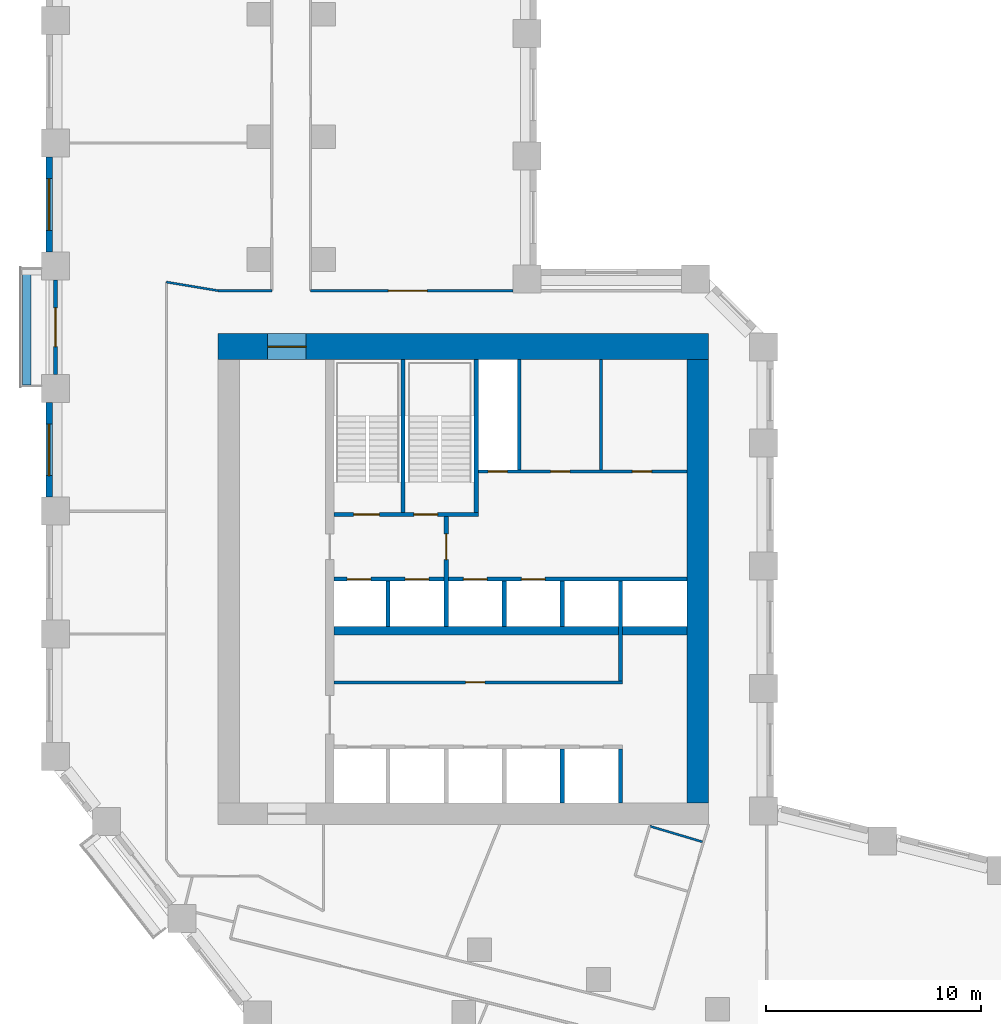
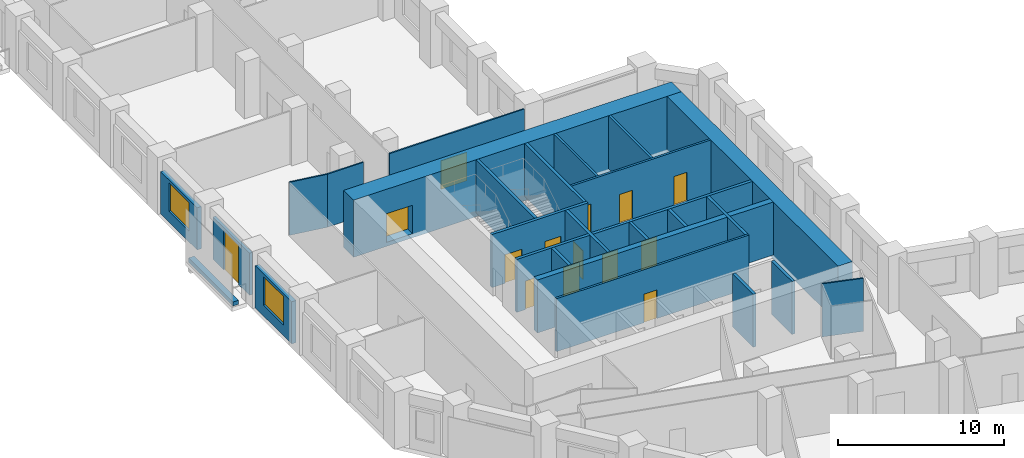
# One storey, part 5 of 10: 26 walls, 14 doors, 2 windows, 16 openings.
"""IFC4 building model written with IfcOpenShell, lengths in metres."""

from ifc_helpers import new_model, si_unit, direction, frame, frame_2d, origin, place, context, subcontext, project, spatial, rectangle, extrude, material, layer, layer_set, type_object, element, fill, save


model = new_model("IFC4")

# Units and contexts
model_context = context("Model", 3, precision=1e-05, world=origin(), true_north=direction((0.0, 1.0)))
body_context = subcontext(model_context, "Body", "Model", "MODEL_VIEW")
ifc_project = project(units=[si_unit("LENGTHUNIT", "METRE"), si_unit("AREAUNIT", "SQUARE_METRE"), si_unit("VOLUMEUNIT", "CUBIC_METRE"), si_unit("PLANEANGLEUNIT", "RADIAN"), si_unit("MASSUNIT", "GRAM", prefix="KILO")], contexts=[model_context])

# Site, building, storey
site_placement = place(None, origin())
site = spatial("IfcSite", under=ifc_project, at=site_placement, CompositionType="ELEMENT")
building_placement = place(site_placement, origin())
building = spatial("IfcBuilding", under=site, at=building_placement, Name="Meshkara Civic Tower", CompositionType="ELEMENT")
storey_placement = place(building_placement, frame((0.0, 0.0, 126.60009765625)))
storey = spatial("IfcBuildingStorey", under=building, at=storey_placement, Name="L28", CompositionType="ELEMENT", Elevation=126.60009765625)

# Wall, opening, door
ifc_material_1 = material(Name="Blockwork", Category="masonry")
ifc_layer_1 = layer(ifc_material_1, 0.14990234375)
ifc_layer_set_1 = layer_set([ifc_layer_1], Name="Core partition 150")
wall_type_1 = type_object("IfcWallType", Name="Core partition 150", PredefinedType="PARTITIONING", material=ifc_layer_set_1)
wall_1_placement = place(storey_placement, frame((13.39990234375, 20.699951171875, 0.0), z_axis=(0.0, 0.0, 1.0), x_axis=(1.0, 0.0, 0.0)))
wall_1 = element("IfcWall", 1, at=wall_1_placement, inside=storey, type_object=wall_type_1, Name="L28-C006", PredefinedType="PARTITIONING", context=body_context, shape_type="SweptSolid", body=[
    extrude(rectangle(XDim=13.400146484375, YDim=0.14990234375, at=frame_2d((6.7001953125, 0.0))), origin(), (0.0, 0.0, 1.0), 3.89990234375),
])
opening_1_placement = place(wall_1_placement, frame((6.10009765625, 0.0, 0.0)))
opening_1 = element("IfcOpeningElement", 2, at=opening_1_placement, cuts=wall_1, Name="Opening L28-K010", PredefinedType="OPENING", context=body_context, shape_type="SweptSolid", body=[
    extrude(rectangle(XDim=0.89990234375, YDim=2.10009765625, at=frame_2d((0.449951171875, 1.050048828125))), frame((0.0, 0.0849609375, 0.0), z_axis=(0.0, -1.0, 0.0), x_axis=(1.0, 0.0, 0.0)), (0.0, 0.0, 1.0), 0.169921875),
])
ifc_material_2 = material(Name="Timber door leaf in steel frame", Category="steel")
door_type_1 = type_object("IfcDoorType", Name="Core room door 900", OperationType="SINGLE_SWING_LEFT", PredefinedType="DOOR", material=ifc_material_2)
door_1_placement = place(opening_1_placement, origin())
door_1 = element("IfcDoor", 3, at=door_1_placement, inside=storey, type_object=door_type_1, Name="L28-K010", OperationType="SINGLE_SWING_RIGHT", OverallHeight=2.10009765625, OverallWidth=0.89990234375, PredefinedType="DOOR", context=body_context, shape_type="SweptSolid", body=[
    extrude(rectangle(XDim=0.89990234375, YDim=2.10009765625, at=frame_2d((0.449951171875, 1.050048828125))), frame((0.0, 0.02490234375, 0.0), z_axis=(0.0, -1.0, 0.0), x_axis=(1.0, 0.0, 0.0)), (0.0, 0.0, 1.0), 0.050048828125),
])
fill(opening_1, door_1)

# Wall, openings, doors
wall_2_placement = place(storey_placement, frame((20.10009765625, 30.5, 0.0), z_axis=(0.0, 0.0, 1.0), x_axis=(1.0, 0.0, 0.0)))
wall_2 = element("IfcWall", 4, at=wall_2_placement, inside=storey, type_object=wall_type_1, Name="L28-C010", PredefinedType="PARTITIONING", context=body_context, shape_type="SweptSolid", body=[
    extrude(rectangle(XDim=9.699951171875, YDim=0.14990234375, at=frame_2d((4.85009765625, 0.0))), origin(), (0.0, 0.0, 1.0), 3.89990234375),
])
opening_2_placement = place(wall_2_placement, frame((0.449951171875, 0.0, 0.0)))
opening_2 = element("IfcOpeningElement", 5, at=opening_2_placement, cuts=wall_2, Name="Opening L28-K011", PredefinedType="OPENING", context=body_context, shape_type="SweptSolid", body=[
    extrude(rectangle(XDim=0.89990234375, YDim=2.10009765625, at=frame_2d((0.449951171875, 1.050048828125))), frame((0.0, 0.0849609375, 0.0), z_axis=(0.0, -1.0, 0.0), x_axis=(1.0, 0.0, 0.0)), (0.0, 0.0, 1.0), 0.169921875),
])
opening_3_placement = place(wall_2_placement, frame((3.35009765625, 0.0, 0.0)))
opening_3 = element("IfcOpeningElement", 6, at=opening_3_placement, cuts=wall_2, Name="Opening L28-K012", PredefinedType="OPENING", context=body_context, shape_type="SweptSolid", body=[
    extrude(rectangle(XDim=0.89990234375, YDim=2.10009765625, at=frame_2d((0.449951171875, 1.050048828125))), frame((0.0, 0.0849609375, 0.0), z_axis=(0.0, -1.0, 0.0), x_axis=(1.0, 0.0, 0.0)), (0.0, 0.0, 1.0), 0.169921875),
])
opening_4_placement = place(wall_2_placement, frame((7.14990234375, 0.0, 0.0)))
opening_4 = element("IfcOpeningElement", 7, at=opening_4_placement, cuts=wall_2, Name="Opening L28-K013", PredefinedType="OPENING", context=body_context, shape_type="SweptSolid", body=[
    extrude(rectangle(XDim=0.89990234375, YDim=2.10009765625, at=frame_2d((0.449951171875, 1.050048828125))), frame((0.0, 0.0849609375, 0.0), z_axis=(0.0, -1.0, 0.0), x_axis=(1.0, 0.0, 0.0)), (0.0, 0.0, 1.0), 0.169921875),
])
door_2_placement = place(opening_3_placement, origin())
door_2 = element("IfcDoor", 8, at=door_2_placement, inside=storey, type_object=door_type_1, Name="L28-K012", OperationType="SINGLE_SWING_RIGHT", OverallHeight=2.10009765625, OverallWidth=0.89990234375, PredefinedType="DOOR", context=body_context, shape_type="SweptSolid", body=[
    extrude(rectangle(XDim=0.89990234375, YDim=2.10009765625, at=frame_2d((0.449951171875, 1.050048828125))), frame((0.0, 0.02490234375, 0.0), z_axis=(0.0, -1.0, 0.0), x_axis=(1.0, 0.0, 0.0)), (0.0, 0.0, 1.0), 0.050048828125),
])
fill(opening_3, door_2)
ifc_material_3 = material(Name="Fire-rated door leaf in steel frame", Category="steel")
door_type_2 = type_object("IfcDoorType", Name="Riser door 900", OperationType="SINGLE_SWING_LEFT", PredefinedType="DOOR", material=ifc_material_3)
door_3_placement = place(opening_2_placement, origin())
door_3 = element("IfcDoor", 9, at=door_3_placement, inside=storey, type_object=door_type_2, Name="L28-K011", OperationType="SINGLE_SWING_RIGHT", OverallHeight=2.10009765625, OverallWidth=0.89990234375, PredefinedType="DOOR", context=body_context, shape_type="SweptSolid", body=[
    extrude(rectangle(XDim=0.89990234375, YDim=2.10009765625, at=frame_2d((0.449951171875, 1.050048828125))), frame((0.0, 0.02490234375, 0.0), z_axis=(0.0, -1.0, 0.0), x_axis=(1.0, 0.0, 0.0)), (0.0, 0.0, 1.0), 0.050048828125),
])
fill(opening_2, door_3)
ifc_material_4 = material(Name="Timber door leaf in steel frame", Category="steel")
door_type_3 = type_object("IfcDoorType", Name="WC door 900", OperationType="SINGLE_SWING_LEFT", PredefinedType="DOOR", material=ifc_material_4)
door_4_placement = place(opening_4_placement, origin())
door_4 = element("IfcDoor", 10, at=door_4_placement, inside=storey, type_object=door_type_3, Name="L28-K013", OperationType="SINGLE_SWING_LEFT", OverallHeight=2.10009765625, OverallWidth=0.89990234375, PredefinedType="DOOR", context=body_context, shape_type="SweptSolid", body=[
    extrude(rectangle(XDim=0.89990234375, YDim=2.10009765625, at=frame_2d((0.449951171875, 1.050048828125))), frame((0.0, 0.02490234375, 0.0), z_axis=(0.0, -1.0, 0.0), x_axis=(1.0, 0.0, 0.0)), (0.0, 0.0, 1.0), 0.050048828125),
])
fill(opening_4, door_4)

# Walls
for number, where, z_axis, x_axis, name in (
    (11, (22.0, 30.574951171875, 0.0), (0.0, 0.0, 1.0), (0.0, 1.0, 0.0), "L28-C020"),
    (12, (25.800048828125, 30.574951171875, 0.0), (0.0, 0.0, 1.0), (0.0, 1.0, 0.0), "L28-C023"),
):
    element("IfcWall", number, at=place(storey_placement, frame(where, z_axis=z_axis, x_axis=x_axis)), inside=storey, type_object=wall_type_1, Name=name, PredefinedType="PARTITIONING", context=body_context, shape_type="SweptSolid", body=[
        extrude(rectangle(XDim=5.125, YDim=0.14990234375, at=frame_2d((2.5625, 0.0))), origin(), (0.0, 0.0, 1.0), 3.89990234375),
    ])
ifc_material_5 = material(Name="Concrete C70", Category="concrete")
ifc_layer_2 = layer(ifc_material_5, 1.0)
ifc_layer_set_2 = layer_set([ifc_layer_2], Name="Core ring wall 1000 C70")
wall_type_2 = type_object("IfcWallType", Name="Core ring wall 1000 C70", PredefinedType="SHEAR", material=ifc_layer_set_2)
wall_3_placement = place(storey_placement, frame((30.300048828125, 15.10009765625, -0.300048828125), z_axis=(0.0, 0.0, 1.0), x_axis=(0.0, 1.0, 0.0)))
element("IfcWall", 13, at=wall_3_placement, inside=storey, type_object=wall_type_2, Name="L28-C004", PredefinedType="SHEAR", context=body_context, shape_type="SweptSolid", body=[
    extrude(rectangle(XDim=20.599853515625, YDim=1.0, at=frame_2d((10.2998046875, 0.0))), origin(), (0.0, 0.0, 1.0), 4.199951171875),
])

# Wall, opening, door
ifc_material_6 = material(Name="Concrete C70", Category="concrete")
ifc_layer_3 = layer(ifc_material_6, 1.199951171875)
ifc_layer_set_3 = layer_set([ifc_layer_3], Name="Core ring wall 1200 C70")
wall_type_3 = type_object("IfcWallType", Name="Core ring wall 1200 C70", PredefinedType="SHEAR", material=ifc_layer_set_3)
wall_4_placement = place(storey_placement, frame((8.0, 36.300048828125, -0.300048828125), z_axis=(0.0, 0.0, 1.0), x_axis=(1.0, 0.0, 0.0)))
wall_4 = element("IfcWall", 14, at=wall_4_placement, inside=storey, type_object=wall_type_3, Name="L28-C002", PredefinedType="SHEAR", context=body_context, shape_type="SweptSolid", body=[
    extrude(rectangle(XDim=22.800048828125, YDim=1.199951171875, at=frame_2d((11.39990234375, 0.0))), origin(), (0.0, 0.0, 1.0), 4.199951171875),
])
opening_5_placement = place(wall_4_placement, frame((2.300048828125, 0.0, 0.300048828125)))
opening_5 = element("IfcOpeningElement", 15, at=opening_5_placement, cuts=wall_4, Name="Opening L28-K019", PredefinedType="OPENING", context=body_context, shape_type="SweptSolid", body=[
    extrude(rectangle(XDim=1.800048828125, YDim=2.10009765625, at=frame_2d((0.89990234375, 1.050048828125))), frame((0.0, 0.60986328125, 0.0), z_axis=(0.0, -1.0, 0.0), x_axis=(1.0, 0.0, 0.0)), (0.0, 0.0, 1.0), 1.219970703125),
])
ifc_material_7 = material(Name="Fire-rated door leaf in steel frame", Category="steel")
door_type_4 = type_object("IfcDoorType", Name="Core double door 1800 EI 60", OperationType="DOUBLE_DOOR_SINGLE_SWING", PredefinedType="DOOR", material=ifc_material_7)
door_5_placement = place(opening_5_placement, origin())
door_5 = element("IfcDoor", 16, at=door_5_placement, inside=storey, type_object=door_type_4, Name="L28-K019", OperationType="DOUBLE_DOOR_SINGLE_SWING", OverallHeight=2.10009765625, OverallWidth=1.800048828125, PredefinedType="DOOR", context=body_context, shape_type="SweptSolid", body=[
    extrude(rectangle(XDim=1.800048828125, YDim=2.10009765625, at=frame_2d((0.89990234375, 1.050048828125))), frame((0.0, 0.02490234375, 0.0), z_axis=(0.0, -1.0, 0.0), x_axis=(1.0, 0.0, 0.0)), (0.0, 0.0, 1.0), 0.050048828125),
])
fill(opening_5, door_5)

# Walls
ifc_material_8 = material(Name="Concrete C70", Category="concrete")
ifc_layer_4 = layer(ifc_material_8, 0.39990234375)
ifc_layer_set_4 = layer_set([ifc_layer_4], Name="Core shear wall 400 C70")
wall_type_4 = type_object("IfcWallType", Name="Core shear wall 400 C70", PredefinedType="SHEAR", material=ifc_layer_set_4)
wall_5_placement = place(storey_placement, frame((13.39990234375, 23.10009765625, 0.0), z_axis=(0.0, 0.0, 1.0), x_axis=(1.0, 0.0, 0.0)))
element("IfcWall", 17, at=wall_5_placement, inside=storey, type_object=wall_type_4, Name="L28-C007", PredefinedType="SHEAR", context=body_context, shape_type="SweptSolid", body=[
    extrude(rectangle(XDim=16.400146484375, YDim=0.39990234375, at=frame_2d((8.2001953125, 0.0))), origin(), (0.0, 0.0, 1.0), 3.89990234375),
])
ifc_material_9 = material(Name="Corridor wall 100")
ifc_layer_5 = layer(ifc_material_9, 0.10009765625)
ifc_layer_set_5 = layer_set([ifc_layer_5], Name="Corridor wall 100")
wall_type_5 = type_object("IfcWallType", Name="Corridor wall 100", PredefinedType="PARTITIONING", material=ifc_layer_set_5)
wall_6_placement = place(storey_placement, frame((8.0, 38.89990234375, 0.0), z_axis=(0.0, 0.0, 1.0), x_axis=(-0.986383073668, 0.16446407505, 0.0)))
element("IfcWall", 18, at=wall_6_placement, inside=storey, type_object=wall_type_5, Name="L28-W007", PredefinedType="PARTITIONING", context=body_context, shape_type="SweptSolid", body=[
    extrude(rectangle(XDim=2.43310546875, YDim=0.10009765625, at=frame_2d((1.216552734375, 0.0))), origin(), (0.0, 0.0, 1.0), 3.89990234375),
])
wall_7_placement = place(storey_placement, frame((10.5, 38.89990234375, 0.0), z_axis=(0.0, 0.0, 1.0), x_axis=(-1.0, 0.0, 0.0)))
element("IfcWall", 19, at=wall_7_placement, inside=storey, type_object=wall_type_5, Name="L28-W012", PredefinedType="PARTITIONING", context=body_context, shape_type="SweptSolid", body=[
    extrude(rectangle(XDim=2.5, YDim=0.10009765625, at=frame_2d((1.25, 0.0))), origin(), (0.0, 0.0, 1.0), 3.89990234375),
])

# Wall, opening, door
wall_8_placement = place(storey_placement, frame((21.699951171875, 38.89990234375, 0.0), z_axis=(0.0, 0.0, 1.0), x_axis=(-1.0, 0.0, 0.0)))
wall_8 = element("IfcWall", 20, at=wall_8_placement, inside=storey, type_object=wall_type_5, Name="L28-W019", PredefinedType="PARTITIONING", context=body_context, shape_type="SweptSolid", body=[
    extrude(rectangle(XDim=9.39990234375, YDim=0.10009765625, at=frame_2d((4.699951171875, 0.0))), origin(), (0.0, 0.0, 1.0), 3.89990234375),
])
opening_6_placement = place(wall_8_placement, frame((3.97998046875, 0.0, 0.0)))
opening_6 = element("IfcOpeningElement", 21, at=opening_6_placement, cuts=wall_8, Name="Opening L28-D019", PredefinedType="OPENING", context=body_context, shape_type="SweptSolid", body=[
    extrude(rectangle(XDim=1.800048828125, YDim=2.10009765625, at=frame_2d((0.89990234375, 1.050048828125))), frame((0.0, 0.06005859375, 0.0), z_axis=(0.0, -1.0, 0.0), x_axis=(1.0, 0.0, 0.0)), (0.0, 0.0, 1.0), 0.1201171875),
])
ifc_material_10 = material(Name="Door pair 1800 x 2100")
door_type_5 = type_object("IfcDoorType", Name="Door pair 1800 x 2100", OperationType="SINGLE_SWING_LEFT", PredefinedType="DOOR", material=ifc_material_10)
door_6_placement = place(opening_6_placement, origin())
door_6 = element("IfcDoor", 22, at=door_6_placement, inside=storey, type_object=door_type_5, Name="L28-D019", OperationType="DOUBLE_DOOR_SINGLE_SWING", OverallHeight=2.10009765625, OverallWidth=1.800048828125, PredefinedType="DOOR", context=body_context, shape_type="SweptSolid", body=[
    extrude(rectangle(XDim=1.800048828125, YDim=2.10009765625, at=frame_2d((0.89990234375, 1.050048828125))), frame((0.0, 0.02490234375, 0.0), z_axis=(0.0, -1.0, 0.0), x_axis=(1.0, 0.0, 0.0)), (0.0, 0.0, 1.0), 0.050048828125),
])
fill(opening_6, door_6)

# Wall, opening, window
ifc_material_11 = material(Name="Insulated infill panel with bronze anodised aluminium cladding", Category="aluminium")
ifc_layer_6 = layer(ifc_material_11, 0.300048828125)
ifc_layer_set_6 = layer_set([ifc_layer_6], Name="EXTERNAL INFILL WALL 300")
wall_type_6 = type_object("IfcWallType", Name="EXTERNAL INFILL WALL 300", PredefinedType="SOLIDWALL", material=ifc_layer_set_6)
wall_9_placement = place(storey_placement, frame((0.14990234375, 45.10498046875, 0.0), z_axis=(0.0, 0.0, 1.0), x_axis=(0.0, -1.0, 0.0)))
wall_9 = element("IfcWall", 23, at=wall_9_placement, inside=storey, type_object=wall_type_6, Name="External wall", PredefinedType="SOLIDWALL", context=body_context, shape_type="SweptSolid", body=[
    extrude(rectangle(XDim=4.39990234375, YDim=0.300048828125, at=frame_2d((2.199951171875, 0.0))), origin(), (0.0, 0.0, 1.0), 3.099853515625),
])
opening_7_placement = place(wall_9_placement, frame((1.0, 0.0, 0.800048828125)))
opening_7 = element("IfcOpeningElement", 24, at=opening_7_placement, cuts=wall_9, Name="Opening W7", PredefinedType="OPENING", context=body_context, shape_type="SweptSolid", body=[
    extrude(rectangle(XDim=2.39990234375, YDim=2.10009765625, at=frame_2d((1.199951171875, 1.050048828125))), frame((0.0, 0.159912109375, 0.0), z_axis=(0.0, -1.0, 0.0), x_axis=(1.0, 0.0, 0.0)), (0.0, 0.0, 1.0), 0.320068359375),
])
ifc_material_12 = material(Name="Tinted double glazing", Category="glass")
window_type = type_object("IfcWindowType", Name="WINDOW 2400x2100", PartitioningType="DOUBLE_PANEL_VERTICAL", PredefinedType="WINDOW", material=ifc_material_12)
window_1_placement = place(opening_7_placement, origin())
window_1 = element("IfcWindow", 25, at=window_1_placement, inside=storey, type_object=window_type, Name="Window", OverallHeight=2.10009765625, OverallWidth=2.39990234375, PartitioningType="DOUBLE_PANEL_VERTICAL", PredefinedType="WINDOW", context=body_context, shape_type="SweptSolid", body=[
    extrude(rectangle(XDim=2.39990234375, YDim=2.10009765625, at=frame_2d((1.199951171875, 1.050048828125))), frame((0.0, 0.030029296875, 0.0), z_axis=(0.0, -1.0, 0.0), x_axis=(1.0, 0.0, 0.0)), (0.0, 0.0, 1.0), 0.06005859375),
])
fill(opening_7, window_1)

wall_10_placement = place(storey_placement, frame((0.14990234375, 33.705078125, 0.0), z_axis=(0.0, 0.0, 1.0), x_axis=(0.0, -1.0, 0.0)))
wall_10 = element("IfcWall", 26, at=wall_10_placement, inside=storey, type_object=wall_type_6, Name="External wall", PredefinedType="SOLIDWALL", context=body_context, shape_type="SweptSolid", body=[
    extrude(rectangle(XDim=4.400146484375, YDim=0.300048828125, at=frame_2d((2.2001953125, 0.0))), origin(), (0.0, 0.0, 1.0), 3.099853515625),
])
opening_8_placement = place(wall_10_placement, frame((1.0, 0.0, 0.800048828125)))
opening_8 = element("IfcOpeningElement", 27, at=opening_8_placement, cuts=wall_10, Name="Opening W7", PredefinedType="OPENING", context=body_context, shape_type="SweptSolid", body=[
    extrude(rectangle(XDim=2.39990234375, YDim=2.10009765625, at=frame_2d((1.199951171875, 1.050048828125))), frame((0.0, 0.159912109375, 0.0), z_axis=(0.0, -1.0, 0.0), x_axis=(1.0, 0.0, 0.0)), (0.0, 0.0, 1.0), 0.320068359375),
])
window_2_placement = place(opening_8_placement, origin())
window_2 = element("IfcWindow", 28, at=window_2_placement, inside=storey, type_object=window_type, Name="Window", OverallHeight=2.10009765625, OverallWidth=2.39990234375, PartitioningType="DOUBLE_PANEL_VERTICAL", PredefinedType="WINDOW", context=body_context, shape_type="SweptSolid", body=[
    extrude(rectangle(XDim=2.39990234375, YDim=2.10009765625, at=frame_2d((1.199951171875, 1.050048828125))), frame((0.0, 0.030029296875, 0.0), z_axis=(0.0, -1.0, 0.0), x_axis=(1.0, 0.0, 0.0)), (0.0, 0.0, 1.0), 0.06005859375),
])
fill(opening_8, window_2)

# Wall, opening, door
ifc_material_13 = material(Name="Insulated infill panel with bronze anodised aluminium cladding", Category="aluminium")
ifc_layer_7 = layer(ifc_material_13, 0.199951171875)
ifc_layer_set_7 = layer_set([ifc_layer_7], Name="LOGGIA BACK WALL 200")
wall_type_7 = type_object("IfcWallType", Name="LOGGIA BACK WALL 200", PredefinedType="SOLIDWALL", material=ifc_layer_set_7)
wall_11_placement = place(storey_placement, frame((0.449951171875, 39.404052734375, 0.0), z_axis=(0.0, 0.0, 1.0), x_axis=(0.0, -1.0, 0.0)))
wall_11 = element("IfcWall", 29, at=wall_11_placement, inside=storey, type_object=wall_type_7, Name="Loggia wall", PredefinedType="SOLIDWALL", context=body_context, shape_type="SweptSolid", body=[
    extrude(rectangle(XDim=4.399169921875, YDim=0.199951171875, at=frame_2d((2.19970703125, 0.0))), origin(), (0.0, 0.0, 1.0), 3.099853515625),
])
opening_9_placement = place(wall_11_placement, frame((1.300048828125, 0.0, 0.0)))
opening_9 = element("IfcOpeningElement", 30, at=opening_9_placement, cuts=wall_11, Name="Opening L28-L002", PredefinedType="OPENING", context=body_context, shape_type="SweptSolid", body=[
    extrude(rectangle(XDim=1.800048828125, YDim=2.89990234375, at=frame_2d((0.89990234375, 1.449951171875))), frame((0.0, 0.10986328125, 0.0), z_axis=(0.0, -1.0, 0.0), x_axis=(1.0, 0.0, 0.0)), (0.0, 0.0, 1.0), 0.219970703125),
])
ifc_material_14 = material(Name="Tinted double glazing", Category="glass")
door_type_6 = type_object("IfcDoorType", Name="LOGGIA DOOR 1800x2900", OperationType="DOUBLE_DOOR_SINGLE_SWING", PredefinedType="DOOR", material=ifc_material_14)
door_7_placement = place(opening_9_placement, origin())
door_7 = element("IfcDoor", 31, at=door_7_placement, inside=storey, type_object=door_type_6, Name="L28-L002", OperationType="DOUBLE_DOOR_SINGLE_SWING", OverallHeight=2.89990234375, OverallWidth=1.800048828125, PredefinedType="DOOR", context=body_context, shape_type="SweptSolid", body=[
    extrude(rectangle(XDim=1.800048828125, YDim=2.89990234375, at=frame_2d((0.89990234375, 1.449951171875))), frame((0.0, 0.02490234375, 0.0), z_axis=(0.0, -1.0, 0.0), x_axis=(1.0, 0.0, 0.0)), (0.0, 0.0, 1.0), 0.050048828125),
])
fill(opening_9, door_7)

# Walls
ifc_material_15 = material(Name="Concrete C40", Category="concrete")
ifc_layer_8 = layer(ifc_material_15, 0.39990234375)
ifc_layer_set_8 = layer_set([ifc_layer_8], Name="PLANTER TRAY")
wall_type_8 = type_object("IfcWallType", Name="PLANTER TRAY", PredefinedType="SOLIDWALL", material=ifc_layer_set_8)
wall_12_placement = place(storey_placement, frame((-0.8798828125, 39.885009765625, 0.0), z_axis=(0.0, 0.0, 1.0), x_axis=(0.0, -1.0, 0.0)))
element("IfcWall", 32, at=wall_12_placement, inside=storey, type_object=wall_type_8, Name="Planter", PredefinedType="SOLIDWALL", context=body_context, shape_type="SweptSolid", body=[
    extrude(rectangle(XDim=5.360107421875, YDim=0.39990234375, at=frame_2d((2.68017578125, 0.0))), origin(), (0.0, 0.0, 1.0), 0.2998046875),
])
ifc_material_16 = material(Name="Partition 100")
ifc_layer_9 = layer(ifc_material_16, 0.10009765625)
ifc_layer_set_9 = layer_set([ifc_layer_9], Name="Partition 100")
wall_type_9 = type_object("IfcWallType", Name="Partition 100", PredefinedType="PARTITIONING", material=ifc_layer_set_9)
wall_13_placement = place(storey_placement, frame((28.06298828125, 14.01904296875, 0.0), z_axis=(0.0, 0.0, 1.0), x_axis=(0.958521516937, -0.285020177478, 0.0)))
element("IfcWall", 33, at=wall_13_placement, inside=storey, type_object=wall_type_9, Name="L28-W045", PredefinedType="PARTITIONING", context=body_context, shape_type="SweptSolid", body=[
    extrude(rectangle(XDim=2.55078125, YDim=0.10009765625, at=frame_2d((1.275390625, 0.0))), origin(), (0.0, 0.0, 1.0), 3.89990234375),
])

# Wall, openings, doors
ifc_material_17 = material(Name="Concrete C40/50", Category="concrete")
ifc_layer_10 = layer(ifc_material_17, 0.199951171875)
ifc_layer_set_10 = layer_set([ifc_layer_10], Name="Shaft wall 200 C40/50")
wall_type_10 = type_object("IfcWallType", Name="Shaft wall 200 C40/50", PredefinedType="SOLIDWALL", material=ifc_layer_set_10)
wall_14_placement = place(storey_placement, frame((13.39990234375, 25.5, 0.0), z_axis=(0.0, 0.0, 1.0), x_axis=(1.0, 0.0, 0.0)))
wall_14 = element("IfcWall", 34, at=wall_14_placement, inside=storey, type_object=wall_type_10, Name="L28-C008", PredefinedType="SOLIDWALL", context=body_context, shape_type="SweptSolid", body=[
    extrude(rectangle(XDim=16.400146484375, YDim=0.199951171875, at=frame_2d((8.2001953125, 0.0))), origin(), (0.0, 0.0, 1.0), 3.89990234375),
])
opening_10_placement = place(wall_14_placement, frame((0.60009765625, 0.0, 0.0)))
opening_10 = element("IfcOpeningElement", 35, at=opening_10_placement, cuts=wall_14, Name="Opening L28-K006", PredefinedType="OPENING", context=body_context, shape_type="SweptSolid", body=[
    extrude(rectangle(XDim=1.10009765625, YDim=2.10009765625, at=frame_2d((0.550048828125, 1.050048828125))), frame((0.0, 0.10986328125, 0.0), z_axis=(0.0, -1.0, 0.0), x_axis=(1.0, 0.0, 0.0)), (0.0, 0.0, 1.0), 0.219970703125),
])
opening_11_placement = place(wall_14_placement, frame((3.300048828125, 0.0, 0.0)))
opening_11 = element("IfcOpeningElement", 36, at=opening_11_placement, cuts=wall_14, Name="Opening L28-K007", PredefinedType="OPENING", context=body_context, shape_type="SweptSolid", body=[
    extrude(rectangle(XDim=1.10009765625, YDim=2.10009765625, at=frame_2d((0.550048828125, 1.050048828125))), frame((0.0, 0.10986328125, 0.0), z_axis=(0.0, -1.0, 0.0), x_axis=(1.0, 0.0, 0.0)), (0.0, 0.0, 1.0), 0.219970703125),
])
opening_12_placement = place(wall_14_placement, frame((6.0, 0.0, 0.0)))
opening_12 = element("IfcOpeningElement", 37, at=opening_12_placement, cuts=wall_14, Name="Opening L28-K008", PredefinedType="OPENING", context=body_context, shape_type="SweptSolid", body=[
    extrude(rectangle(XDim=1.10009765625, YDim=2.10009765625, at=frame_2d((0.550048828125, 1.050048828125))), frame((0.0, 0.10986328125, 0.0), z_axis=(0.0, -1.0, 0.0), x_axis=(1.0, 0.0, 0.0)), (0.0, 0.0, 1.0), 0.219970703125),
])
opening_13_placement = place(wall_14_placement, frame((8.699951171875, 0.0, 0.0)))
opening_13 = element("IfcOpeningElement", 38, at=opening_13_placement, cuts=wall_14, Name="Opening L28-K009", PredefinedType="OPENING", context=body_context, shape_type="SweptSolid", body=[
    extrude(rectangle(XDim=1.10009765625, YDim=2.10009765625, at=frame_2d((0.550048828125, 1.050048828125))), frame((0.0, 0.10986328125, 0.0), z_axis=(0.0, -1.0, 0.0), x_axis=(1.0, 0.0, 0.0)), (0.0, 0.0, 1.0), 0.219970703125),
])
ifc_material_18 = material(Name="Stainless steel landing door", Category="steel")
door_type_7 = type_object("IfcDoorType", Name="Lift landing door 1100", OperationType="SLIDING_TO_LEFT", PredefinedType="DOOR", material=ifc_material_18)
door_8_placement = place(opening_10_placement, origin())
door_8 = element("IfcDoor", 39, at=door_8_placement, inside=storey, type_object=door_type_7, Name="L28-K006", OperationType="SLIDING_TO_LEFT", OverallHeight=2.10009765625, OverallWidth=1.10009765625, PredefinedType="DOOR", context=body_context, shape_type="SweptSolid", body=[
    extrude(rectangle(XDim=1.10009765625, YDim=2.10009765625, at=frame_2d((0.550048828125, 1.050048828125))), frame((0.0, 0.02490234375, 0.0), z_axis=(0.0, -1.0, 0.0), x_axis=(1.0, 0.0, 0.0)), (0.0, 0.0, 1.0), 0.050048828125),
])
fill(opening_10, door_8)
door_9_placement = place(opening_11_placement, origin())
door_9 = element("IfcDoor", 40, at=door_9_placement, inside=storey, type_object=door_type_7, Name="L28-K007", OperationType="SLIDING_TO_LEFT", OverallHeight=2.10009765625, OverallWidth=1.10009765625, PredefinedType="DOOR", context=body_context, shape_type="SweptSolid", body=[
    extrude(rectangle(XDim=1.10009765625, YDim=2.10009765625, at=frame_2d((0.550048828125, 1.050048828125))), frame((0.0, 0.02490234375, 0.0), z_axis=(0.0, -1.0, 0.0), x_axis=(1.0, 0.0, 0.0)), (0.0, 0.0, 1.0), 0.050048828125),
])
fill(opening_11, door_9)
door_10_placement = place(opening_12_placement, origin())
door_10 = element("IfcDoor", 41, at=door_10_placement, inside=storey, type_object=door_type_7, Name="L28-K008", OperationType="SLIDING_TO_LEFT", OverallHeight=2.10009765625, OverallWidth=1.10009765625, PredefinedType="DOOR", context=body_context, shape_type="SweptSolid", body=[
    extrude(rectangle(XDim=1.10009765625, YDim=2.10009765625, at=frame_2d((0.550048828125, 1.050048828125))), frame((0.0, 0.02490234375, 0.0), z_axis=(0.0, -1.0, 0.0), x_axis=(1.0, 0.0, 0.0)), (0.0, 0.0, 1.0), 0.050048828125),
])
fill(opening_12, door_10)
door_11_placement = place(opening_13_placement, origin())
door_11 = element("IfcDoor", 42, at=door_11_placement, inside=storey, type_object=door_type_7, Name="L28-K009", OperationType="SLIDING_TO_LEFT", OverallHeight=2.10009765625, OverallWidth=1.10009765625, PredefinedType="DOOR", context=body_context, shape_type="SweptSolid", body=[
    extrude(rectangle(XDim=1.10009765625, YDim=2.10009765625, at=frame_2d((0.550048828125, 1.050048828125))), frame((0.0, 0.02490234375, 0.0), z_axis=(0.0, -1.0, 0.0), x_axis=(1.0, 0.0, 0.0)), (0.0, 0.0, 1.0), 0.050048828125),
])
fill(opening_13, door_11)

# Wall
wall_15_placement = place(storey_placement, frame((15.89990234375, 23.300048828125, 0.0), z_axis=(0.0, 0.0, 1.0), x_axis=(0.0, 1.0, 0.0)))
element("IfcWall", 43, at=wall_15_placement, inside=storey, type_object=wall_type_10, Name="L28-C013", PredefinedType="SOLIDWALL", context=body_context, shape_type="SweptSolid", body=[
    extrude(rectangle(XDim=2.099853515625, YDim=0.199951171875, at=frame_2d((1.0498046875, 0.0))), origin(), (0.0, 0.0, 1.0), 3.89990234375),
])

# Wall, opening, door
wall_16_placement = place(storey_placement, frame((18.60009765625, 23.300048828125, 0.0), z_axis=(0.0, 0.0, 1.0), x_axis=(0.0, 1.0, 0.0)))
wall_16 = element("IfcWall", 44, at=wall_16_placement, inside=storey, type_object=wall_type_10, Name="L28-C016", PredefinedType="SOLIDWALL", context=body_context, shape_type="SweptSolid", body=[
    extrude(rectangle(XDim=5.099853515625, YDim=0.199951171875, at=frame_2d((2.5498046875, 0.0))), origin(), (0.0, 0.0, 1.0), 3.89990234375),
])
opening_14_placement = place(wall_16_placement, frame((3.10009765625, 0.0, 0.0)))
opening_14 = element("IfcOpeningElement", 45, at=opening_14_placement, cuts=wall_16, Name="Opening L28-K018", PredefinedType="OPENING", context=body_context, shape_type="SweptSolid", body=[
    extrude(rectangle(XDim=1.199951171875, YDim=2.10009765625, at=frame_2d((0.60009765625, 1.050048828125))), frame((0.0, 0.10986328125, 0.0), z_axis=(0.0, -1.0, 0.0), x_axis=(1.0, 0.0, 0.0)), (0.0, 0.0, 1.0), 0.219970703125),
])
ifc_material_19 = material(Name="Fire-rated door leaf in steel frame", Category="steel")
door_type_8 = type_object("IfcDoorType", Name="Fire-fighting lobby door 1200 EI 120", OperationType="SINGLE_SWING_LEFT", PredefinedType="DOOR", material=ifc_material_19)
door_12_placement = place(opening_14_placement, origin())
door_12 = element("IfcDoor", 46, at=door_12_placement, inside=storey, type_object=door_type_8, Name="L28-K018", OperationType="SINGLE_SWING_RIGHT", OverallHeight=2.10009765625, OverallWidth=1.199951171875, PredefinedType="DOOR", context=body_context, shape_type="SweptSolid", body=[
    extrude(rectangle(XDim=1.199951171875, YDim=2.10009765625, at=frame_2d((0.60009765625, 1.050048828125))), frame((0.0, 0.02490234375, 0.0), z_axis=(0.0, -1.0, 0.0), x_axis=(1.0, 0.0, 0.0)), (0.0, 0.0, 1.0), 0.050048828125),
])
fill(opening_14, door_12)

# Walls
wall_17_placement = place(storey_placement, frame((21.300048828125, 23.300048828125, 0.0), z_axis=(0.0, 0.0, 1.0), x_axis=(0.0, 1.0, 0.0)))
element("IfcWall", 47, at=wall_17_placement, inside=storey, type_object=wall_type_10, Name="L28-C019", PredefinedType="SOLIDWALL", context=body_context, shape_type="SweptSolid", body=[
    extrude(rectangle(XDim=2.099853515625, YDim=0.199951171875, at=frame_2d((1.0498046875, 0.0))), origin(), (0.0, 0.0, 1.0), 3.89990234375),
])
wall_18_placement = place(storey_placement, frame((24.0, 15.10009765625, 0.0), z_axis=(0.0, 0.0, 1.0), x_axis=(0.0, 1.0, 0.0)))
element("IfcWall", 48, at=wall_18_placement, inside=storey, type_object=wall_type_10, Name="L28-C021", PredefinedType="SOLIDWALL", context=body_context, shape_type="SweptSolid", body=[
    extrude(rectangle(XDim=2.5, YDim=0.199951171875, at=frame_2d((1.25, 0.0))), origin(), (0.0, 0.0, 1.0), 3.89990234375),
])
wall_19_placement = place(storey_placement, frame((24.0, 23.300048828125, 0.0), z_axis=(0.0, 0.0, 1.0), x_axis=(0.0, 1.0, 0.0)))
element("IfcWall", 49, at=wall_19_placement, inside=storey, type_object=wall_type_10, Name="L28-C022", PredefinedType="SOLIDWALL", context=body_context, shape_type="SweptSolid", body=[
    extrude(rectangle(XDim=2.099853515625, YDim=0.199951171875, at=frame_2d((1.0498046875, 0.0))), origin(), (0.0, 0.0, 1.0), 3.89990234375),
])
wall_20_placement = place(storey_placement, frame((26.699951171875, 15.10009765625, 0.0), z_axis=(0.0, 0.0, 1.0), x_axis=(0.0, 1.0, 0.0)))
element("IfcWall", 50, at=wall_20_placement, inside=storey, type_object=wall_type_10, Name="L28-C024", PredefinedType="SOLIDWALL", context=body_context, shape_type="SweptSolid", body=[
    extrude(rectangle(XDim=2.5, YDim=0.199951171875, at=frame_2d((1.25, 0.0))), origin(), (0.0, 0.0, 1.0), 3.89990234375),
])
wall_21_placement = place(storey_placement, frame((26.699951171875, 20.77490234375, 0.0), z_axis=(0.0, 0.0, 1.0), x_axis=(0.0, 1.0, 0.0)))
element("IfcWall", 51, at=wall_21_placement, inside=storey, type_object=wall_type_10, Name="L28-C025", PredefinedType="SOLIDWALL", context=body_context, shape_type="SweptSolid", body=[
    extrude(rectangle(XDim=4.625, YDim=0.199951171875, at=frame_2d((2.3125, 0.0))), origin(), (0.0, 0.0, 1.0), 3.89990234375),
])

# Wall, openings, doors
ifc_material_20 = material(Name="Concrete C40/50", Category="concrete")
ifc_layer_11 = layer(ifc_material_20, 0.199951171875)
ifc_layer_set_11 = layer_set([ifc_layer_11], Name="Stair enclosure wall 200 C40/50")
wall_type_11 = type_object("IfcWallType", Name="Stair enclosure wall 200 C40/50", PredefinedType="SOLIDWALL", material=ifc_layer_set_11)
wall_22_placement = place(storey_placement, frame((13.39990234375, 28.5, 0.0), z_axis=(0.0, 0.0, 1.0), x_axis=(1.0, 0.0, 0.0)))
wall_22 = element("IfcWall", 52, at=wall_22_placement, inside=storey, type_object=wall_type_11, Name="L28-C009", PredefinedType="SOLIDWALL", context=body_context, shape_type="SweptSolid", body=[
    extrude(rectangle(XDim=6.7001953125, YDim=0.199951171875, at=frame_2d((3.35009765625, 0.0))), origin(), (0.0, 0.0, 1.0), 3.89990234375),
])
opening_15_placement = place(wall_22_placement, frame((0.89990234375, 0.0, 0.0)))
opening_15 = element("IfcOpeningElement", 53, at=opening_15_placement, cuts=wall_22, Name="Opening L28-K014", PredefinedType="OPENING", context=body_context, shape_type="SweptSolid", body=[
    extrude(rectangle(XDim=1.199951171875, YDim=2.10009765625, at=frame_2d((0.60009765625, 1.050048828125))), frame((0.0, 0.10986328125, 0.0), z_axis=(0.0, -1.0, 0.0), x_axis=(1.0, 0.0, 0.0)), (0.0, 0.0, 1.0), 0.219970703125),
])
opening_16_placement = place(wall_22_placement, frame((3.699951171875, 0.0, 0.0)))
opening_16 = element("IfcOpeningElement", 54, at=opening_16_placement, cuts=wall_22, Name="Opening L28-K015", PredefinedType="OPENING", context=body_context, shape_type="SweptSolid", body=[
    extrude(rectangle(XDim=1.10009765625, YDim=2.10009765625, at=frame_2d((0.550048828125, 1.050048828125))), frame((0.0, 0.10986328125, 0.0), z_axis=(0.0, -1.0, 0.0), x_axis=(1.0, 0.0, 0.0)), (0.0, 0.0, 1.0), 0.219970703125),
])
ifc_material_21 = material(Name="Fire-rated door leaf in steel frame", Category="steel")
door_type_9 = type_object("IfcDoorType", Name="Stair door 1100 EI 120", OperationType="SINGLE_SWING_LEFT", PredefinedType="DOOR", material=ifc_material_21)
door_13_placement = place(opening_16_placement, origin())
door_13 = element("IfcDoor", 55, at=door_13_placement, inside=storey, type_object=door_type_9, Name="L28-K015", OperationType="SINGLE_SWING_LEFT", OverallHeight=2.10009765625, OverallWidth=1.10009765625, PredefinedType="DOOR", context=body_context, shape_type="SweptSolid", body=[
    extrude(rectangle(XDim=1.10009765625, YDim=2.10009765625, at=frame_2d((0.550048828125, 1.050048828125))), frame((0.0, 0.02490234375, 0.0), z_axis=(0.0, -1.0, 0.0), x_axis=(1.0, 0.0, 0.0)), (0.0, 0.0, 1.0), 0.050048828125),
])
fill(opening_16, door_13)
ifc_material_22 = material(Name="Fire-rated door leaf in steel frame", Category="steel")
door_type_10 = type_object("IfcDoorType", Name="Stair door 1200 EI 120", OperationType="SINGLE_SWING_LEFT", PredefinedType="DOOR", material=ifc_material_22)
door_14_placement = place(opening_15_placement, origin())
door_14 = element("IfcDoor", 56, at=door_14_placement, inside=storey, type_object=door_type_10, Name="L28-K014", OperationType="SINGLE_SWING_RIGHT", OverallHeight=2.10009765625, OverallWidth=1.199951171875, PredefinedType="DOOR", context=body_context, shape_type="SweptSolid", body=[
    extrude(rectangle(XDim=1.199951171875, YDim=2.10009765625, at=frame_2d((0.60009765625, 1.050048828125))), frame((0.0, 0.02490234375, 0.0), z_axis=(0.0, -1.0, 0.0), x_axis=(1.0, 0.0, 0.0)), (0.0, 0.0, 1.0), 0.050048828125),
])
fill(opening_15, door_14)

# Walls
for number, where, z_axis, x_axis, name in (
    (57, (16.60009765625, 28.60009765625, 0.0), (0.0, 0.0, 1.0), (0.0, 1.0, 0.0), "L28-C014"),
    (58, (20.0, 28.60009765625, 0.0), (0.0, 0.0, 1.0), (0.0, 1.0, 0.0), "L28-C017"),
):
    element("IfcWall", number, at=place(storey_placement, frame(where, z_axis=z_axis, x_axis=x_axis)), inside=storey, type_object=wall_type_11, Name=name, PredefinedType="SOLIDWALL", context=body_context, shape_type="SweptSolid", body=[
        extrude(rectangle(XDim=7.099853515625, YDim=0.199951171875, at=frame_2d((3.5498046875, 0.0))), origin(), (0.0, 0.0, 1.0), 3.89990234375),
    ])

save(model, "model.ifc")
